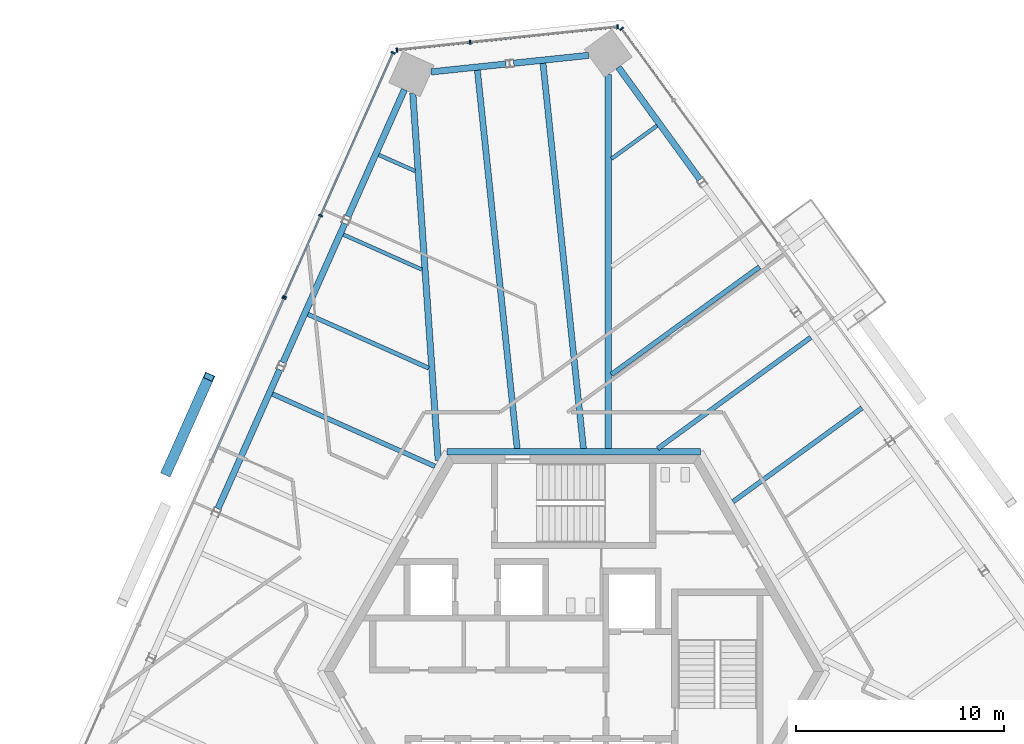
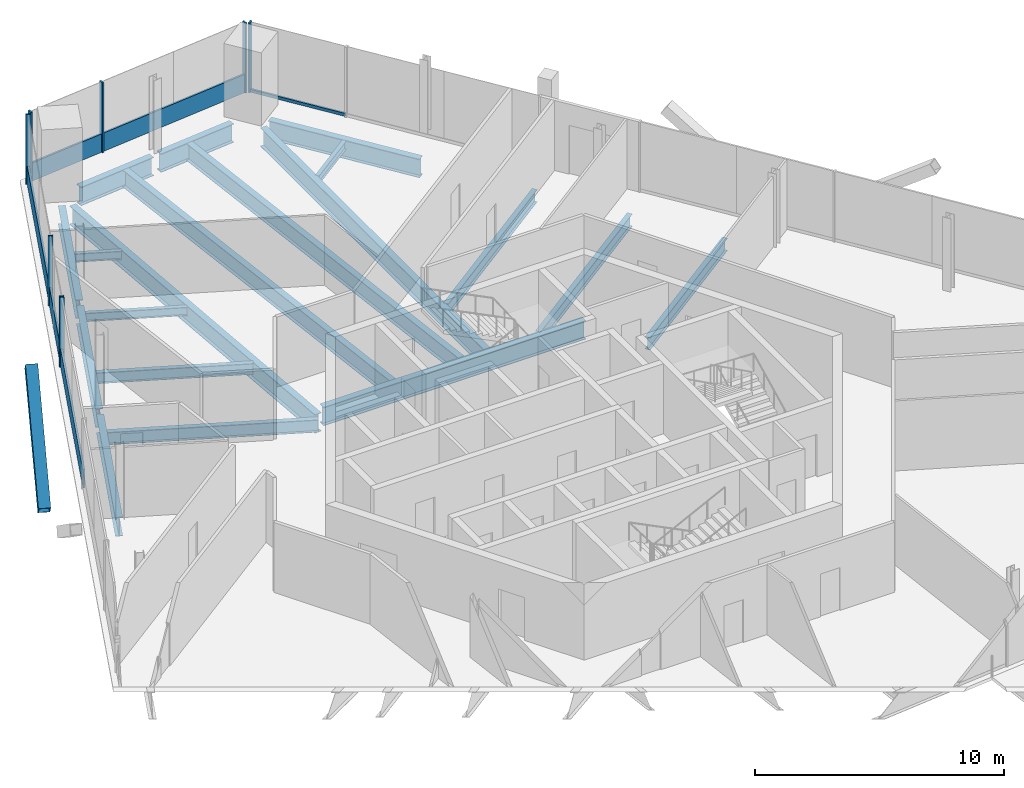
# One storey, part 8 of 18: 19 beams, 15 members, 4 elements without a shape of their own.
"""IFC4 building model written with IfcOpenShell, lengths in metres."""

from ifc_helpers import new_model, si_unit, direction, frame, origin, origin_2d, place, context, subcontext, project, spatial, rectangle, hollow_rectangle, i_section, extrude, source, transform, mapped, material, material_profile, profile_set, type_object, element, aggregate, save


model = new_model("IFC4")

# Units and contexts
model_context = context("Model", 3, precision=1e-05, world=origin(), true_north=direction((0.0, 1.0)))
body_context = subcontext(model_context, "Body", "Model", "MODEL_VIEW")
ifc_project = project(units=[si_unit("LENGTHUNIT", "METRE"), si_unit("AREAUNIT", "SQUARE_METRE"), si_unit("VOLUMEUNIT", "CUBIC_METRE"), si_unit("PLANEANGLEUNIT", "RADIAN"), si_unit("MASSUNIT", "GRAM", prefix="KILO")], contexts=[model_context])

# Site, building, storey
site_placement = place(None, origin())
site = spatial("IfcSite", under=ifc_project, at=site_placement, CompositionType="ELEMENT")
building_placement = place(site_placement, origin())
building = spatial("IfcBuilding", under=site, at=building_placement, Name="Triune Harvest Tower", CompositionType="ELEMENT")
storey_placement = place(building_placement, frame((0.0, 0.0, 237.699951171875)))
storey = spatial("IfcBuildingStorey", under=building, at=storey_placement, Name="L62", CompositionType="ELEMENT", Elevation=237.699951171875)

# Beams
ifc_material_1 = material(Name="Steel ASTM A992 Gr 50", Category="steel")
ifc_material_profile_1 = material_profile(ifc_material_1, i_section(OverallWidth=0.3046875, OverallDepth=0.914306640625, WebThickness=0.0166015625, FlangeThickness=0.02587890625, at=origin_2d()), Name="W36x160")
ifc_profile_set_1 = profile_set([ifc_material_profile_1], Name="Steel ASTM A992 Gr 50")
beam_type_1 = type_object("IfcBeamType", Name="CG-1 Core ring girder W36x160", PredefinedType="BEAM", material=ifc_profile_set_1)
shared_shape_1 = source(origin(), body_context, "Body", "SweptSolid", [
    extrude(i_section(OverallWidth=0.3046875, OverallDepth=0.914306640625, WebThickness=0.0166015625, FlangeThickness=0.02587890625, at=origin_2d()), origin(), (0.0, 0.0, 1.0), 12.17578125),
])
beam_1_placement = place(storey_placement, frame((6.087890625, 10.544677734375, -0.6171875), z_axis=(-1.0, 0.0, 0.0), x_axis=(0.0, -1.0, 0.0)))
element("IfcBeam", 1, at=beam_1_placement, inside=storey, type_object=beam_type_1, Name="beam/L62/CG2", PredefinedType="BEAM", context=body_context, shape_type="MappedRepresentation", body=[
    mapped(shared_shape_1, transform((0.0, 0.0, 0.0), scale=1.0)),
])
ifc_material_2 = material(Name="Steel ASTM A992 Gr 50", Category="steel")
ifc_material_profile_2 = material_profile(ifc_material_2, i_section(OverallWidth=0.3046875, OverallDepth=0.914306640625, WebThickness=0.0166015625, FlangeThickness=0.02587890625, at=origin_2d()), Name="W36x160")
ifc_profile_set_2 = profile_set([ifc_material_profile_2], Name="Steel ASTM A992 Gr 50")
beam_type_2 = type_object("IfcBeamType", Name="SB-1 Spandrel beam W36x160", PredefinedType="SPANDREL", material=ifc_profile_set_2)
shared_shape_2 = source(origin(), body_context, "Body", "SweptSolid", [
    extrude(i_section(OverallWidth=0.3046875, OverallDepth=0.914306640625, WebThickness=0.0166015625, FlangeThickness=0.02587890625, at=origin_2d()), origin(), (0.0, 0.0, 1.0), 6.67041015625),
])
beam_2_placement = place(storey_placement, frame((6.06396484375, 23.617919921875, -0.6171875), z_axis=(-0.587797324645, 0.80900822316, 0.0), x_axis=(-0.80900822316, -0.587797324645, 0.0)))
element("IfcBeam", 2, at=beam_2_placement, inside=storey, type_object=beam_type_2, Name="beam/L62/SB6", PredefinedType="SPANDREL", context=body_context, shape_type="MappedRepresentation", body=[
    mapped(shared_shape_2, transform((0.0, 0.0, 0.0), scale=1.0)),
])
shared_shape_3 = source(origin(), body_context, "Body", "SweptSolid", [
    extrude(i_section(OverallWidth=0.3046875, OverallDepth=0.914306640625, WebThickness=0.0166015625, FlangeThickness=0.02587890625, at=origin_2d()), origin(), (0.0, 0.0, 1.0), 7.31103515625),
])
beam_3_placement = place(storey_placement, frame((-14.114990234375, 14.489013671875, -0.6171875), z_axis=(-0.406761135511, -0.913534552514, 0.0), x_axis=(0.913534552514, -0.406761135511, 0.0)))
element("IfcBeam", 3, at=beam_3_placement, inside=storey, type_object=beam_type_2, Name="beam/L62/SB11", PredefinedType="SPANDREL", context=body_context, shape_type="MappedRepresentation", body=[
    mapped(shared_shape_3, transform((0.0, 0.0, 0.0), scale=1.0)),
])
shared_shape_4 = source(origin(), body_context, "Body", "SweptSolid", [
    extrude(i_section(OverallWidth=0.3046875, OverallDepth=0.914306640625, WebThickness=0.0166015625, FlangeThickness=0.02587890625, at=origin_2d()), origin(), (0.0, 0.0, 1.0), 3.614990234375),
])
for number, where, z_axis, x_axis, name in (
    (4, (0.710693359375, 29.58203125, -0.6171875), (-0.994520245169, -0.104544162673, 0.0), (0.104544162673, -0.994520245169, 0.0), "beam/L62/SB7"),
    (5, (-3.25048828125, 29.165771484375, -0.6171875), (-0.994520245169, -0.104544162673, 0.0), (0.104544162673, -0.994520245169, 0.0), "beam/L62/SB8"),
):
    element("IfcBeam", number, at=place(storey_placement, frame(where, z_axis=z_axis, x_axis=x_axis)), inside=storey, type_object=beam_type_2, Name=name, PredefinedType="SPANDREL", context=body_context, shape_type="MappedRepresentation", body=[
        mapped(shared_shape_4, transform((0.0, 0.0, 0.0), scale=1.0)),
    ])
shared_shape_5 = source(origin(), body_context, "Body", "SweptSolid", [
    extrude(i_section(OverallWidth=0.3046875, OverallDepth=0.914306640625, WebThickness=0.0166015625, FlangeThickness=0.02587890625, at=origin_2d()), origin(), (0.0, 0.0, 1.0), 6.670166015625),
])
beam_4_placement = place(storey_placement, frame((-8.128662109375, 27.9345703125, -0.6171875), z_axis=(-0.406753053854, -0.913538150917, 0.0), x_axis=(0.913538150917, -0.406753053854, 0.0)))
element("IfcBeam", 6, at=beam_4_placement, inside=storey, type_object=beam_type_2, Name="beam/L62/SB9", PredefinedType="SPANDREL", context=body_context, shape_type="MappedRepresentation", body=[
    mapped(shared_shape_5, transform((0.0, 0.0, 0.0), scale=1.0)),
])
shared_shape_6 = source(origin(), body_context, "Body", "SweptSolid", [
    extrude(i_section(OverallWidth=0.3046875, OverallDepth=0.914306640625, WebThickness=0.0166015625, FlangeThickness=0.02587890625, at=origin_2d()), origin(), (0.0, 0.0, 1.0), 7.311279296875),
])
beam_5_placement = place(storey_placement, frame((-10.991455078125, 21.504638671875, -0.6171875), z_axis=(-0.406720859208, -0.91355248491, 0.0), x_axis=(0.91355248491, -0.406720859208, 0.0)))
element("IfcBeam", 7, at=beam_5_placement, inside=storey, type_object=beam_type_2, Name="beam/L62/SB10", PredefinedType="SPANDREL", context=body_context, shape_type="MappedRepresentation", body=[
    mapped(shared_shape_6, transform((0.0, 0.0, 0.0), scale=1.0)),
])
ifc_material_3 = material(Name="Steel ASTM A992 Gr 50", Category="steel")
ifc_material_profile_3 = material_profile(ifc_material_3, i_section(OverallWidth=0.3046875, OverallDepth=0.914306640625, WebThickness=0.0166015625, FlangeThickness=0.02587890625, at=origin_2d()), Name="W36x160")
ifc_profile_set_3 = profile_set([ifc_material_profile_3], Name="Steel ASTM A992 Gr 50")
beam_type_3 = type_object("IfcBeamType", Name="HG-3 Hip girder W36x160", PredefinedType="BEAM", material=ifc_profile_set_3)
shared_shape_7 = source(origin(), body_context, "Body", "SweptSolid", [
    extrude(i_section(OverallWidth=0.3046875, OverallDepth=0.914306640625, WebThickness=0.0166015625, FlangeThickness=0.02587890625, at=origin_2d()), origin(), (0.0, 0.0, 1.0), 17.96484375),
])
beam_6_placement = place(storey_placement, frame((1.658203125, 28.661865234375, -0.6171875), z_axis=(0.0, -1.0, 0.0), x_axis=(1.0, 0.0, 0.0)))
element("IfcBeam", 8, at=beam_6_placement, inside=storey, type_object=beam_type_3, Name="beam/L62/HG3", PredefinedType="BEAM", context=body_context, shape_type="MappedRepresentation", body=[
    mapped(shared_shape_7, transform((0.0, 0.0, 0.0), scale=1.0)),
])
shared_shape_8 = source(origin(), body_context, "Body", "SweptSolid", [
    extrude(i_section(OverallWidth=0.3046875, OverallDepth=0.914306640625, WebThickness=0.0166015625, FlangeThickness=0.02587890625, at=origin_2d()), origin(), (0.0, 0.0, 1.0), 17.6748046875),
])
beam_7_placement = place(storey_placement, frame((-7.728515625, 27.756591796875, -0.6171875), z_axis=(0.069119702871, -0.997608373399, 0.0), x_axis=(0.997608373399, 0.069119702871, 0.0)))
element("IfcBeam", 9, at=beam_7_placement, inside=storey, type_object=beam_type_3, Name="beam/L62/HG4", PredefinedType="BEAM", context=body_context, shape_type="MappedRepresentation", body=[
    mapped(shared_shape_8, transform((0.0, 0.0, 0.0), scale=1.0)),
])
ifc_material_4 = material(Name="Steel ASTM A992 Gr 50", Category="steel")
ifc_material_profile_4 = material_profile(ifc_material_4, i_section(OverallWidth=0.2099609375, OverallDepth=0.535888671875, WebThickness=0.010986328125, FlangeThickness=0.017333984375, at=origin_2d()), Name="W21x68")
ifc_profile_set_4 = profile_set([ifc_material_profile_4], Name="Steel ASTM A992 Gr 50")
beam_type_4 = type_object("IfcBeamType", Name="JT-2 Floor joist W21x68", PredefinedType="JOIST", material=ifc_profile_set_4)
shared_shape_9 = source(origin(), body_context, "Body", "SweptSolid", [
    extrude(i_section(OverallWidth=0.2099609375, OverallDepth=0.535888671875, WebThickness=0.010986328125, FlangeThickness=0.017333984375, at=origin_2d()), origin(), (0.0, 0.0, 1.0), 6.346435546875),
])
beam_8_placement = place(storey_placement, frame((-12.76513671875, 17.146484375, -0.427978515625), z_axis=(0.913549614508, -0.406727306476, 0.0), x_axis=(0.406727306476, 0.913549614508, 0.0)))
element("IfcBeam", 10, at=beam_8_placement, inside=storey, type_object=beam_type_4, Name="beam/L62/JT15", PredefinedType="JOIST", context=body_context, shape_type="MappedRepresentation", body=[
    mapped(shared_shape_9, transform((0.0, 0.0, 0.0), scale=1.0)),
])
ifc_material_5 = material(Name="Steel ASTM A992 Gr 50", Category="steel")
ifc_material_profile_5 = material_profile(ifc_material_5, i_section(OverallWidth=0.22900390625, OverallDepth=0.612060546875, WebThickness=0.011962890625, FlangeThickness=0.01953125, at=origin_2d()), Name="W24x84")
ifc_profile_set_5 = profile_set([ifc_material_profile_5], Name="Steel ASTM A992 Gr 50")
beam_type_5 = type_object("IfcBeamType", Name="JT-3 Floor joist W24x84", PredefinedType="JOIST", material=ifc_profile_set_5)
shared_shape_10 = source(origin(), body_context, "Body", "SweptSolid", [
    extrude(i_section(OverallWidth=0.22900390625, OverallDepth=0.612060546875, WebThickness=0.011962890625, FlangeThickness=0.01953125, at=origin_2d()), origin(), (0.0, 0.0, 1.0), 7.659423828125),
])
beam_9_placement = place(storey_placement, frame((13.845458984375, 12.648193359375, -0.466064453125), z_axis=(-0.809007534686, -0.587798272217, 0.0), x_axis=(0.587798272217, -0.809007534686, 0.0)))
element("IfcBeam", 11, at=beam_9_placement, inside=storey, type_object=beam_type_5, Name="beam/L62/JT6", PredefinedType="JOIST", context=body_context, shape_type="MappedRepresentation", body=[
    mapped(shared_shape_10, transform((0.0, 0.0, 0.0), scale=1.0)),
])
shared_shape_11 = source(origin(), body_context, "Body", "SweptSolid", [
    extrude(i_section(OverallWidth=0.22900390625, OverallDepth=0.612060546875, WebThickness=0.011962890625, FlangeThickness=0.01953125, at=origin_2d()), origin(), (0.0, 0.0, 1.0), 9.084716796875),
])
beam_10_placement = place(storey_placement, frame((11.38330078125, 16.036865234375, -0.466064453125), z_axis=(-0.809014901919, -0.5877881323, 0.0), x_axis=(0.5877881323, -0.809014901919, 0.0)))
element("IfcBeam", 12, at=beam_10_placement, inside=storey, type_object=beam_type_5, Name="beam/L62/JT7", PredefinedType="JOIST", context=body_context, shape_type="MappedRepresentation", body=[
    mapped(shared_shape_11, transform((0.0, 0.0, 0.0), scale=1.0)),
])
shared_shape_12 = source(origin(), body_context, "Body", "SweptSolid", [
    extrude(i_section(OverallWidth=0.22900390625, OverallDepth=0.612060546875, WebThickness=0.011962890625, FlangeThickness=0.01953125, at=origin_2d()), origin(), (0.0, 0.0, 1.0), 8.789306640625),
])
beam_11_placement = place(storey_placement, frame((8.921142578125, 19.42578125, -0.466064453125), z_axis=(-0.809011065255, -0.587793412939, 0.0), x_axis=(0.587793412939, -0.809011065255, 0.0)))
element("IfcBeam", 13, at=beam_11_placement, inside=storey, type_object=beam_type_5, Name="beam/L62/JT8", PredefinedType="JOIST", context=body_context, shape_type="MappedRepresentation", body=[
    mapped(shared_shape_12, transform((0.0, 0.0, 0.0), scale=1.0)),
])
ifc_material_6 = material(Name="Steel ASTM A992 Gr 50", Category="steel")
ifc_material_profile_6 = material_profile(ifc_material_6, i_section(OverallWidth=0.180908203125, OverallDepth=0.41650390625, WebThickness=0.010986328125, FlangeThickness=0.01806640625, at=origin_2d()), Name="W16x57")
ifc_profile_set_6 = profile_set([ifc_material_profile_6], Name="Steel ASTM A992 Gr 50")
beam_type_6 = type_object("IfcBeamType", Name="JT-1 Floor joist W16x57", PredefinedType="JOIST", material=ifc_profile_set_6)
shared_shape_13 = source(origin(), body_context, "Body", "SweptSolid", [
    extrude(i_section(OverallWidth=0.180908203125, OverallDepth=0.41650390625, WebThickness=0.010986328125, FlangeThickness=0.01806640625, at=origin_2d()), origin(), (0.0, 0.0, 1.0), 2.70263671875),
])
beam_12_placement = place(storey_placement, frame((3.9970703125, 26.203369140625, -0.3681640625), z_axis=(-0.809013338029, -0.587790284788, 0.0), x_axis=(0.587790284788, -0.809013338029, 0.0)))
element("IfcBeam", 14, at=beam_12_placement, inside=storey, type_object=beam_type_6, Name="beam/L62/JT10", PredefinedType="JOIST", context=body_context, shape_type="MappedRepresentation", body=[
    mapped(shared_shape_13, transform((0.0, 0.0, 0.0), scale=1.0)),
])
ifc_material_7 = material(Name="Steel ASTM A992 Gr 50", Category="steel")
ifc_material_profile_7 = material_profile(ifc_material_7, i_section(OverallWidth=0.2919921875, OverallDepth=0.8408203125, WebThickness=0.0146484375, FlangeThickness=0.021728515625, at=origin_2d()), Name="W33x130")
ifc_profile_set_7 = profile_set([ifc_material_profile_7], Name="Steel ASTM A992 Gr 50")
beam_type_7 = type_object("IfcBeamType", Name="JT-6 Floor joist W33x130", PredefinedType="JOIST", material=ifc_profile_set_7)
shared_shape_14 = source(origin(), body_context, "Body", "SweptSolid", [
    extrude(i_section(OverallWidth=0.2919921875, OverallDepth=0.8408203125, WebThickness=0.0146484375, FlangeThickness=0.021728515625, at=origin_2d()), origin(), (0.0, 0.0, 1.0), 18.60400390625),
])
beam_13_placement = place(storey_placement, frame((-1.476318359375, 29.198974609375, -0.580322265625), z_axis=(0.104538595675, -0.994520830357, 0.0), x_axis=(0.994520830357, 0.104538595675, 0.0)))
element("IfcBeam", 15, at=beam_13_placement, inside=storey, type_object=beam_type_7, Name="beam/L62/JT11", PredefinedType="JOIST", context=body_context, shape_type="MappedRepresentation", body=[
    mapped(shared_shape_14, transform((0.0, 0.0, 0.0), scale=1.0)),
])
shared_shape_15 = source(origin(), body_context, "Body", "SweptSolid", [
    extrude(i_section(OverallWidth=0.2919921875, OverallDepth=0.8408203125, WebThickness=0.0146484375, FlangeThickness=0.021728515625, at=origin_2d()), origin(), (0.0, 0.0, 1.0), 18.27099609375),
])
beam_14_placement = place(storey_placement, frame((-4.626708984375, 28.867919921875, -0.580322265625), z_axis=(0.104532454263, -0.99452147589, 0.0), x_axis=(0.99452147589, 0.104532454263, 0.0)))
element("IfcBeam", 16, at=beam_14_placement, inside=storey, type_object=beam_type_7, Name="beam/L62/JT12", PredefinedType="JOIST", context=body_context, shape_type="MappedRepresentation", body=[
    mapped(shared_shape_15, transform((0.0, 0.0, 0.0), scale=1.0)),
])
shared_shape_16 = source(origin(), body_context, "Body", "SweptSolid", [
    extrude(i_section(OverallWidth=0.180908203125, OverallDepth=0.41650390625, WebThickness=0.010986328125, FlangeThickness=0.01806640625, at=origin_2d()), origin(), (0.0, 0.0, 1.0), 1.899169921875),
])
beam_15_placement = place(storey_placement, frame((-9.357666015625, 24.7998046875, -0.3681640625), z_axis=(0.913535666592, -0.406758633422, 0.0), x_axis=(0.406758633422, 0.913535666592, 0.0)))
element("IfcBeam", 17, at=beam_15_placement, inside=storey, type_object=beam_type_6, Name="beam/L62/JT13", PredefinedType="JOIST", context=body_context, shape_type="MappedRepresentation", body=[
    mapped(shared_shape_16, transform((0.0, 0.0, 0.0), scale=1.0)),
])
shared_shape_17 = source(origin(), body_context, "Body", "SweptSolid", [
    extrude(i_section(OverallWidth=0.180908203125, OverallDepth=0.41650390625, WebThickness=0.010986328125, FlangeThickness=0.01806640625, at=origin_2d()), origin(), (0.0, 0.0, 1.0), 4.12255859375),
])
beam_16_placement = place(storey_placement, frame((-11.061279296875, 20.972900390625, -0.3681640625), z_axis=(0.913547607509, -0.406731814363, 0.0), x_axis=(0.406731814363, 0.913547607509, 0.0)))
element("IfcBeam", 18, at=beam_16_placement, inside=storey, type_object=beam_type_6, Name="beam/L62/JT14", PredefinedType="JOIST", context=body_context, shape_type="MappedRepresentation", body=[
    mapped(shared_shape_17, transform((0.0, 0.0, 0.0), scale=1.0)),
])
shared_shape_18 = source(origin(), body_context, "Body", "SweptSolid", [
    extrude(i_section(OverallWidth=0.22900390625, OverallDepth=0.612060546875, WebThickness=0.011962890625, FlangeThickness=0.01953125, at=origin_2d()), origin(), (0.0, 0.0, 1.0), 8.539794921875),
])
beam_17_placement = place(storey_placement, frame((-14.46875, 13.319580078125, -0.466064453125), z_axis=(0.913548460016, -0.406729899567, 0.0), x_axis=(0.406729899567, 0.913548460016, 0.0)))
element("IfcBeam", 19, at=beam_17_placement, inside=storey, type_object=beam_type_5, Name="beam/L62/JT16", PredefinedType="JOIST", context=body_context, shape_type="MappedRepresentation", body=[
    mapped(shared_shape_18, transform((0.0, 0.0, 0.0), scale=1.0)),
])

# Member
ifc_material_8 = material(Name="Steel ASTM A572 Gr 50", Category="steel")
ifc_material_profile_8 = material_profile(ifc_material_8, hollow_rectangle(XDim=0.5, YDim=0.5, WallThickness=0.030029296875, at=origin_2d()), Name="Box 500x500x30")
ifc_profile_set_8 = profile_set([ifc_material_profile_8], Name="Steel ASTM A572 Gr 50")
member_type_1 = type_object("IfcMemberType", Name="BR-3 Brace Box 500x500x30", PredefinedType="BRACE", material=ifc_profile_set_8)
shared_shape_19 = source(origin(), body_context, "Body", "SweptSolid", [
    extrude(hollow_rectangle(XDim=0.5, YDim=0.5, WallThickness=0.030029296875, at=origin_2d()), origin(), (0.0, 0.0, 1.0), 6.1708984375),
])
member_1_placement = place(storey_placement, frame((-19.5546875, 9.5625, 0.0), z_axis=(0.330352036276, 0.741966717165, 0.583397739752), x_axis=(-0.913542177249, 0.406744010879, 0.0)))
element("IfcMember", 20, at=member_1_placement, inside=storey, type_object=member_type_1, Name="brace/B6-F3/d2/6", PredefinedType="BRACE", context=body_context, shape_type="MappedRepresentation", body=[
    mapped(shared_shape_19, transform((0.0, 0.0, 0.0), scale=1.0)),
])

# Curtain wall, members
ifc_material_9 = material(Name="Aluminium bronze anodised", Category="aluminium")
curtain_wall_type_1 = type_object("IfcCurtainWallType", Name="CW-1 Tower stick curtain wall", PredefinedType="NOTDEFINED", material=ifc_material_9)
curtain_wall_1_placement = place(storey_placement, origin())
curtain_wall_1 = element("IfcCurtainWall", 21, at=curtain_wall_1_placement, inside=storey, type_object=curtain_wall_type_1, Name="CW-1 B6-F2 L62 run 1")
ifc_material_10 = material(Name="Aluminium bronze anodised", Category="aluminium")
ifc_material_profile_9 = material_profile(ifc_material_10, rectangle(XDim=0.199951171875, YDim=0.074951171875, at=origin_2d()), Name="MU-1 mullion 75 x 200")
ifc_profile_set_9 = profile_set([ifc_material_profile_9], Name="Aluminium bronze anodised")
member_type_2 = type_object("IfcMemberType", Name="MU-1 mullion 75 x 200", PredefinedType="MULLION", material=ifc_profile_set_9)
shared_shape_20 = source(origin(), body_context, "Body", "SweptSolid", [
    extrude(rectangle(XDim=0.199951171875, YDim=0.074951171875, at=origin_2d()), origin(), (0.0, 0.0, 1.0), 3.43994140625),
])
member_2_placement = place(storey_placement, frame((2.102294921875, 30.95068359375, 0.0), z_axis=(0.0, 0.0, 1.0), x_axis=(0.104529672907, -0.994521768229, 0.0)))
member_2 = element("IfcMember", 22, at=member_2_placement, type_object=member_type_2, Name="CW-1 mullion B6-F2 1.1", PredefinedType="MULLION", context=body_context, shape_type="MappedRepresentation", body=[
    mapped(shared_shape_20, transform((0.0, 0.0, 0.0), scale=1.0)),
])
member_3_placement = place(storey_placement, frame((-4.972412109375, 30.20703125, 0.0), z_axis=(0.0, 0.0, 1.0), x_axis=(0.104529672907, -0.994521768229, 0.0)))
member_3 = element("IfcMember", 23, at=member_3_placement, type_object=member_type_2, Name="CW-1 mullion B6-F2 1.3", PredefinedType="MULLION", context=body_context, shape_type="MappedRepresentation", body=[
    mapped(shared_shape_20, transform((0.0, 0.0, 0.0), scale=1.0)),
])
member_4_placement = place(storey_placement, frame((-8.4912109375, 29.837158203125, 0.0), z_axis=(0.0, 0.0, 1.0), x_axis=(0.104529672907, -0.994521768229, 0.0)))
member_4 = element("IfcMember", 24, at=member_4_placement, type_object=member_type_2, Name="CW-1 mullion B6-F2 1.4", PredefinedType="MULLION", context=body_context, shape_type="MappedRepresentation", body=[
    mapped(shared_shape_20, transform((0.0, 0.0, 0.0), scale=1.0)),
])

curtain_wall_2_placement = place(storey_placement, origin())
curtain_wall_2 = element("IfcCurtainWall", 25, at=curtain_wall_2_placement, inside=storey, type_object=curtain_wall_type_1, Name="CW-1 B6-F3 L62 run 1")
member_5_placement = place(storey_placement, frame((-8.669921875, 29.707275390625, 0.0), z_axis=(0.0, 0.0, 1.0), x_axis=(0.913546291384, -0.406734770456, 0.0)))
member_5 = element("IfcMember", 26, at=member_5_placement, type_object=member_type_2, Name="CW-1 mullion B6-F3 1.1", PredefinedType="MULLION", context=body_context, shape_type="MappedRepresentation", body=[
    mapped(shared_shape_20, transform((0.0, 0.0, 0.0), scale=1.0)),
])
member_6_placement = place(storey_placement, frame((-12.152587890625, 21.885009765625, 0.0), z_axis=(0.0, 0.0, 1.0), x_axis=(0.913546291384, -0.406734770456, 0.0)))
member_6 = element("IfcMember", 27, at=member_6_placement, type_object=member_type_2, Name="CW-1 mullion B6-F3 1.3", PredefinedType="MULLION", context=body_context, shape_type="MappedRepresentation", body=[
    mapped(shared_shape_20, transform((0.0, 0.0, 0.0), scale=1.0)),
])
member_7_placement = place(storey_placement, frame((-13.88623046875, 17.990966796875, 0.0), z_axis=(0.0, 0.0, 1.0), x_axis=(0.913546291384, -0.406734770456, 0.0)))
member_7 = element("IfcMember", 28, at=member_7_placement, type_object=member_type_2, Name="CW-1 mullion B6-F3 1.4", PredefinedType="MULLION", context=body_context, shape_type="MappedRepresentation", body=[
    mapped(shared_shape_20, transform((0.0, 0.0, 0.0), scale=1.0)),
])

# Curtain wall, member
ifc_material_11 = material(Name="Aluminium bronze anodised", Category="aluminium")
curtain_wall_type_2 = type_object("IfcCurtainWallType", Name="CW-7 Tower stick curtain wall with insulated spandrel infill", PredefinedType="NOTDEFINED", material=ifc_material_11)
curtain_wall_3_placement = place(storey_placement, origin())
curtain_wall_3 = element("IfcCurtainWall", 29, at=curtain_wall_3_placement, inside=storey, type_object=curtain_wall_type_2, Name="CW-7 B6-F3 L62 run 1001")
member_8_placement = place(storey_placement, frame((-13.916748046875, 17.922607421875, 0.0), z_axis=(0.0, 0.0, 1.0), x_axis=(0.913543213981, -0.406741682385, 0.0)))
member_8 = element("IfcMember", 30, at=member_8_placement, type_object=member_type_2, Name="CW-7 mullion B6-F3 1001.1", PredefinedType="MULLION", context=body_context, shape_type="MappedRepresentation", body=[
    mapped(shared_shape_20, transform((0.0, 0.0, 0.0), scale=1.0)),
])

ifc_material_12 = material(Name="Aluminium bronze anodised", Category="aluminium")
curtain_wall_type_3 = type_object("IfcCurtainWallType", Name="CW-6 Balcony window wall", PredefinedType="NOTDEFINED", material=ifc_material_12)
curtain_wall_4_placement = place(storey_placement, origin())
curtain_wall_4 = element("IfcCurtainWall", 31, at=curtain_wall_4_placement, inside=storey, type_object=curtain_wall_type_3, Name="CW-6 B6-F1 L62 run 2")
ifc_material_13 = material(Name="Aluminium bronze anodised", Category="aluminium")
ifc_material_profile_10 = material_profile(ifc_material_13, rectangle(XDim=0.199951171875, YDim=0.074951171875, at=origin_2d()), Name="MU-6 mullion 75 x 200")
ifc_profile_set_10 = profile_set([ifc_material_profile_10], Name="Aluminium bronze anodised")
member_type_3 = type_object("IfcMemberType", Name="MU-6 mullion 75 x 200", PredefinedType="MULLION", material=ifc_profile_set_10)
shared_shape_21 = source(origin(), body_context, "Body", "SweptSolid", [
    extrude(rectangle(XDim=0.199951171875, YDim=0.074951171875, at=origin_2d()), origin(), (0.0, 0.0, 1.0), 3.43994140625),
])
member_9_placement = place(storey_placement, frame((2.303955078125, 30.86083984375, 0.0), z_axis=(0.0, 0.0, 1.0), x_axis=(-0.809016689391, -0.587785672066, 0.0)))
member_9 = element("IfcMember", 32, at=member_9_placement, type_object=member_type_3, Name="CW-6 mullion B6-F1 2.4", PredefinedType="MULLION", context=body_context, shape_type="MappedRepresentation", body=[
    mapped(shared_shape_21, transform((0.0, 0.0, 0.0), scale=1.0)),
])

# Member
ifc_material_14 = material(Name="Aluminium bronze anodised", Category="aluminium")
ifc_material_profile_11 = material_profile(ifc_material_14, rectangle(XDim=0.090087890625, YDim=0.89990234375, at=origin_2d()), Name="TR-1 transom 90 x 900")
ifc_profile_set_11 = profile_set([ifc_material_profile_11], Name="Aluminium bronze anodised")
member_type_4 = type_object("IfcMemberType", Name="TR-1 transom 90 x 900", PredefinedType="USERDEFINED", material=ifc_profile_set_11)
shared_shape_22 = source(origin(), body_context, "Body", "SweptSolid", [
    extrude(rectangle(XDim=0.090087890625, YDim=0.89990234375, at=origin_2d()), origin(), (0.0, 0.0, 1.0), 7.038818359375),
])
member_10_placement = place(storey_placement, frame((2.06494140625, 30.946533203125, 0.449951171875), z_axis=(-0.994524252306, -0.104506036069, 0.0), x_axis=(0.104506036069, -0.994524252306, 0.0)))
member_10 = element("IfcMember", 33, at=member_10_placement, type_object=member_type_4, Name="CW-1 transom B6-F2 1.1", ObjectType="TRANSOM", PredefinedType="USERDEFINED", context=body_context, shape_type="MappedRepresentation", body=[
    mapped(shared_shape_22, transform((0.0, 0.0, 0.0), scale=1.0)),
])

shared_shape_23 = source(origin(), body_context, "Body", "SweptSolid", [
    extrude(rectangle(XDim=0.090087890625, YDim=0.89990234375, at=origin_2d()), origin(), (0.0, 0.0, 1.0), 3.46337890625),
])
member_11_placement = place(storey_placement, frame((-5.009765625, 30.203125, 0.449951171875), z_axis=(-0.994520506962, -0.10454167223, 0.0), x_axis=(0.10454167223, -0.994520506962, 0.0)))
member_11 = element("IfcMember", 34, at=member_11_placement, type_object=member_type_4, Name="CW-1 transom B6-F2 1.2", ObjectType="TRANSOM", PredefinedType="USERDEFINED", context=body_context, shape_type="MappedRepresentation", body=[
    mapped(shared_shape_23, transform((0.0, 0.0, 0.0), scale=1.0)),
])

aggregate(curtain_wall_1, [member_2, member_3, member_4, member_10, member_11])

ifc_material_15 = material(Name="Aluminium bronze anodised", Category="aluminium")
ifc_material_profile_12 = material_profile(ifc_material_15, rectangle(XDim=0.090087890625, YDim=0.14990234375, at=origin_2d()), Name="TR-6 transom 90 x 150")
ifc_profile_set_12 = profile_set([ifc_material_profile_12], Name="Aluminium bronze anodised")
member_type_5 = type_object("IfcMemberType", Name="TR-6 transom 90 x 150", PredefinedType="USERDEFINED", material=ifc_profile_set_12)
shared_shape_24 = source(origin(), body_context, "Body", "SweptSolid", [
    extrude(rectangle(XDim=0.090087890625, YDim=0.14990234375, at=origin_2d()), origin(), (0.0, 0.0, 1.0), 4.173828125),
])
member_12_placement = place(storey_placement, frame((4.779541015625, 27.45361328125, 0.074951171875), z_axis=(-0.587792537515, 0.809011701301, 0.0), x_axis=(-0.809011701301, -0.587792537515, 0.0)))
member_12 = element("IfcMember", 35, at=member_12_placement, type_object=member_type_5, Name="CW-6 transom B6-F1 2.2", ObjectType="TRANSOM", PredefinedType="USERDEFINED", context=body_context, shape_type="MappedRepresentation", body=[
    mapped(shared_shape_24, transform((0.0, 0.0, 0.0), scale=1.0)),
])

aggregate(curtain_wall_4, [member_9, member_12])

shared_shape_25 = source(origin(), body_context, "Body", "SweptSolid", [
    extrude(rectangle(XDim=0.090087890625, YDim=0.89990234375, at=origin_2d()), origin(), (0.0, 0.0, 1.0), 8.487548828125),
])
member_13_placement = place(storey_placement, frame((-8.685302734375, 29.673095703125, 0.449951171875), z_axis=(-0.406736215364, -0.913545648072, 0.0), x_axis=(0.913545648072, -0.406736215364, 0.0)))
member_13 = element("IfcMember", 36, at=member_13_placement, type_object=member_type_4, Name="CW-1 transom B6-F3 1.1", ObjectType="TRANSOM", PredefinedType="USERDEFINED", context=body_context, shape_type="MappedRepresentation", body=[
    mapped(shared_shape_25, transform((0.0, 0.0, 0.0), scale=1.0)),
])

member_14_placement = place(storey_placement, frame((-13.93212890625, 17.88818359375, 0.449951171875), z_axis=(-0.406736215364, -0.913545648072, 0.0), x_axis=(0.913545648072, -0.406736215364, 0.0)))
member_14 = element("IfcMember", 37, at=member_14_placement, type_object=member_type_4, Name="CW-7 transom B6-F3 1001.1", ObjectType="TRANSOM", PredefinedType="USERDEFINED", context=body_context, shape_type="MappedRepresentation", body=[
    mapped(shared_shape_25, transform((0.0, 0.0, 0.0), scale=1.0)),
])

aggregate(curtain_wall_3, [member_8, member_14])

shared_shape_26 = source(origin(), body_context, "Body", "SweptSolid", [
    extrude(rectangle(XDim=0.090087890625, YDim=0.89990234375, at=origin_2d()), origin(), (0.0, 0.0, 1.0), 4.1875),
])
member_15_placement = place(storey_placement, frame((-12.16796875, 21.850830078125, 0.449951171875), z_axis=(-0.406722616448, -0.91355170257, 0.0), x_axis=(0.91355170257, -0.406722616448, 0.0)))
member_15 = element("IfcMember", 38, at=member_15_placement, type_object=member_type_4, Name="CW-1 transom B6-F3 1.2", ObjectType="TRANSOM", PredefinedType="USERDEFINED", context=body_context, shape_type="MappedRepresentation", body=[
    mapped(shared_shape_26, transform((0.0, 0.0, 0.0), scale=1.0)),
])

aggregate(curtain_wall_2, [member_5, member_6, member_7, member_13, member_15])

save(model, "model.ifc")
